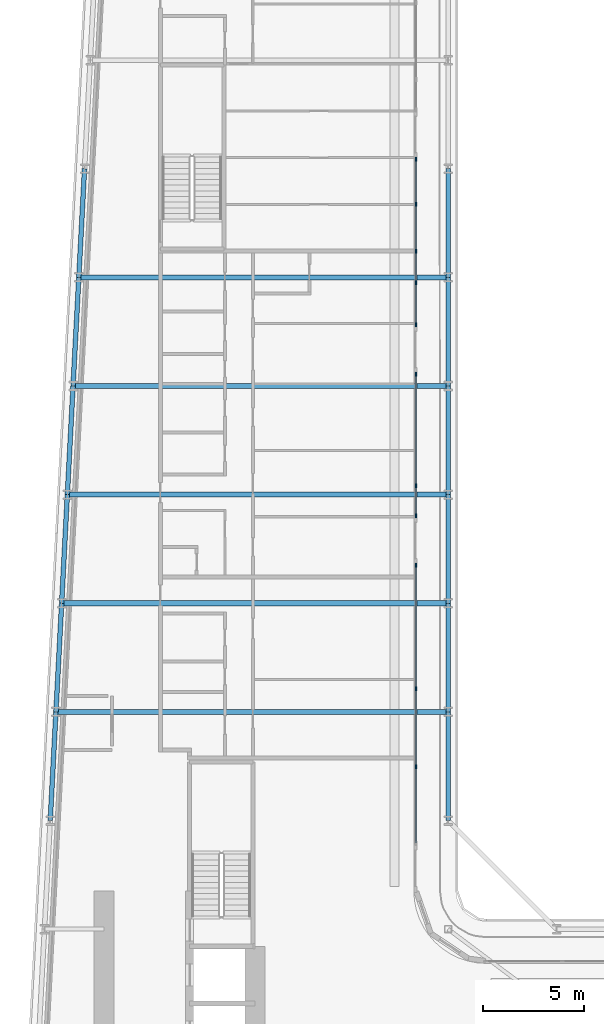
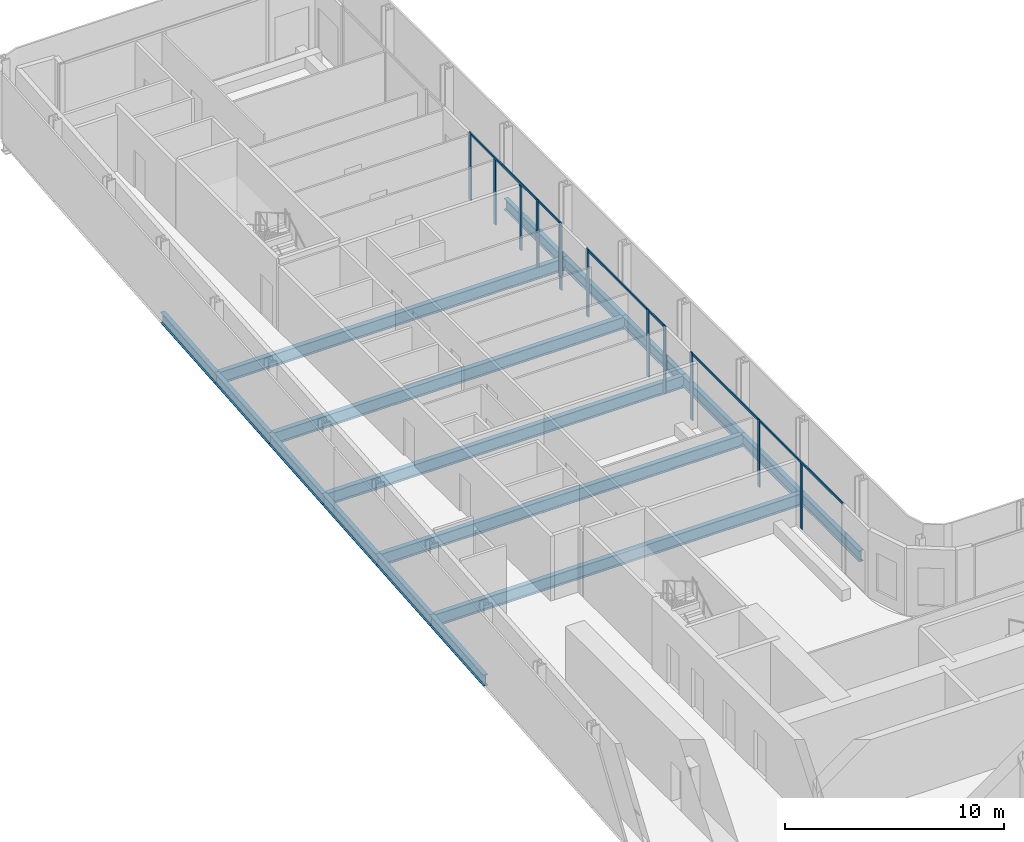
# One storey, part 7 of 28: 17 beams, 17 members, 6 elements without a shape of their own.
"""IFC4 building model written with IfcOpenShell, lengths in metres."""

from ifc_helpers import new_model, si_unit, direction, frame, origin, origin_2d, place, context, subcontext, project, spatial, rectangle, i_section, extrude, material, layer, layer_set, material_profile, profile_set, type_object, element, aggregate, save


model = new_model("IFC4")

# Units and contexts
model_context = context("Model", 3, precision=1e-05, world=origin(), true_north=direction((0.0, 1.0)))
body_context = subcontext(model_context, "Body", "Model", "MODEL_VIEW")
ifc_project = project(units=[si_unit("LENGTHUNIT", "METRE"), si_unit("AREAUNIT", "SQUARE_METRE"), si_unit("VOLUMEUNIT", "CUBIC_METRE"), si_unit("PLANEANGLEUNIT", "RADIAN"), si_unit("MASSUNIT", "GRAM", prefix="KILO")], contexts=[model_context])

# Site, building, storey
site_placement = place(None, origin())
site = spatial("IfcSite", under=ifc_project, at=site_placement, CompositionType="ELEMENT")
building_placement = place(site_placement, origin())
building = spatial("IfcBuilding", under=site, at=building_placement, Name="Kheshtan School and Residences Tower", CompositionType="ELEMENT")
storey_placement = place(building_placement, frame((0.0, 0.0, 73.39990234375)))
storey = spatial("IfcBuildingStorey", under=building, at=storey_placement, Name="L17", CompositionType="ELEMENT", Elevation=73.39990234375)

# Beams
ifc_material_1 = material(Name="Steel ASTM A992 Grade 50", Category="steel")
ifc_material_profile_1 = material_profile(ifc_material_1, i_section(OverallWidth=0.2529296875, OverallDepth=0.677978515625, WebThickness=0.01171875, FlangeThickness=0.016357421875, FilletRadius=0.0146484375, at=origin_2d()), Name="W690x125")
ifc_profile_set_1 = profile_set([ifc_material_profile_1], Name="Steel ASTM A992 Grade 50")
beam_type_1 = type_object("IfcBeamType", Name="Beam FB6 W690x125 ASTM A992 Grade 50", PredefinedType="BEAM", material=ifc_profile_set_1)
beam_1_placement = place(storey_placement, frame((47.60009765625, 72.60009765625, -0.489013671875), z_axis=(-1.0, 0.0, 0.0), x_axis=(0.0, -1.0, 0.0)))
element("IfcBeam", 1, at=beam_1_placement, inside=storey, type_object=beam_type_1, Name="Floor beam C087", PredefinedType="BEAM", context=body_context, shape_type="SweptSolid", body=[
    extrude(i_section(OverallWidth=0.2529296875, OverallDepth=0.677978515625, WebThickness=0.01171875, FlangeThickness=0.016357421875, FilletRadius=0.0146484375, at=origin_2d()), origin(), (0.0, 0.0, 1.0), 18.64208984375),
])
beam_2_placement = place(storey_placement, frame((47.60009765625, 61.800048828125, -0.489013671875), z_axis=(-1.0, 0.0, 0.0), x_axis=(0.0, -1.0, 0.0)))
element("IfcBeam", 2, at=beam_2_placement, inside=storey, type_object=beam_type_1, Name="Floor beam C083", PredefinedType="BEAM", context=body_context, shape_type="SweptSolid", body=[
    extrude(i_section(OverallWidth=0.2529296875, OverallDepth=0.677978515625, WebThickness=0.01171875, FlangeThickness=0.016357421875, FilletRadius=0.0146484375, at=origin_2d()), origin(), (0.0, 0.0, 1.0), 19.210205078125),
])
beam_3_placement = place(storey_placement, frame((28.10595703125, 56.39990234375, -0.489013671875), z_axis=(1.0, 0.0, 0.0), x_axis=(0.0, 1.0, 0.0)))
element("IfcBeam", 3, at=beam_3_placement, inside=storey, type_object=beam_type_1, Name="Floor beam C080", PredefinedType="BEAM", context=body_context, shape_type="SweptSolid", body=[
    extrude(i_section(OverallWidth=0.2529296875, OverallDepth=0.677978515625, WebThickness=0.01171875, FlangeThickness=0.016357421875, FilletRadius=0.0146484375, at=origin_2d()), origin(), (0.0, 0.0, 1.0), 19.494140625),
])
beam_4_placement = place(storey_placement, frame((28.674072265625, 67.199951171875, -0.489013671875), z_axis=(1.0, 0.0, 0.0), x_axis=(0.0, 1.0, 0.0)))
element("IfcBeam", 4, at=beam_4_placement, inside=storey, type_object=beam_type_1, Name="Floor beam C084", PredefinedType="BEAM", context=body_context, shape_type="SweptSolid", body=[
    extrude(i_section(OverallWidth=0.2529296875, OverallDepth=0.677978515625, WebThickness=0.01171875, FlangeThickness=0.016357421875, FilletRadius=0.0146484375, at=origin_2d()), origin(), (0.0, 0.0, 1.0), 18.926025390625),
])
beam_5_placement = place(storey_placement, frame((29.242919921875, 78.0, -0.489013671875), z_axis=(1.0, 0.0, 0.0), x_axis=(0.0, 1.0, 0.0)))
element("IfcBeam", 5, at=beam_5_placement, inside=storey, type_object=beam_type_1, Name="Floor beam C088", PredefinedType="BEAM", context=body_context, shape_type="SweptSolid", body=[
    extrude(i_section(OverallWidth=0.2529296875, OverallDepth=0.677978515625, WebThickness=0.01171875, FlangeThickness=0.016357421875, FilletRadius=0.0146484375, at=origin_2d()), origin(), (0.0, 0.0, 1.0), 18.357177734375),
])
ifc_material_profile_2 = material_profile(ifc_material_1, i_section(OverallWidth=0.22998046875, OverallDepth=0.616943359375, WebThickness=0.01318359375, FlangeThickness=0.022216796875, FilletRadius=0.0185546875, at=origin_2d()), Name="W610x140")
ifc_profile_set_2 = profile_set([ifc_material_profile_2], Name="Steel ASTM A992 Grade 50")
beam_type_2 = type_object("IfcBeamType", Name="Beam SP1 W610x140 ASTM A992 Grade 50", PredefinedType="BEAM", material=ifc_profile_set_2)
for number, where, z_axis, x_axis, name in (
    (6, (47.60009765625, 83.39990234375, -0.45849609375), (0.0, -1.0, 0.0), (1.0, 0.0, 0.0), "Spandrel beam C091-C089"),
    (7, (47.60009765625, 78.0, -0.45849609375), (0.0, -1.0, 0.0), (1.0, 0.0, 0.0), "Spandrel beam C089-C087"),
):
    element("IfcBeam", number, at=place(storey_placement, frame(where, z_axis=z_axis, x_axis=x_axis)), inside=storey, type_object=beam_type_2, Name=name, PredefinedType="BEAM", context=body_context, shape_type="SweptSolid", body=[
        extrude(i_section(OverallWidth=0.22998046875, OverallDepth=0.616943359375, WebThickness=0.01318359375, FlangeThickness=0.022216796875, FilletRadius=0.0185546875, at=origin_2d()), origin(), (0.0, 0.0, 1.0), 5.39990234375),
    ])
beam_6_placement = place(storey_placement, frame((47.60009765625, 72.60009765625, -0.45849609375), z_axis=(0.0, -1.0, 0.0), x_axis=(1.0, 0.0, 0.0)))
element("IfcBeam", 8, at=beam_6_placement, inside=storey, type_object=beam_type_2, Name="Spandrel beam C087-C085", PredefinedType="BEAM", context=body_context, shape_type="SweptSolid", body=[
    extrude(i_section(OverallWidth=0.22998046875, OverallDepth=0.616943359375, WebThickness=0.01318359375, FlangeThickness=0.022216796875, FilletRadius=0.0185546875, at=origin_2d()), origin(), (0.0, 0.0, 1.0), 5.400146484375),
])
beam_7_placement = place(storey_placement, frame((47.60009765625, 67.199951171875, -0.45849609375), z_axis=(0.0, -1.0, 0.0), x_axis=(1.0, 0.0, 0.0)))
element("IfcBeam", 9, at=beam_7_placement, inside=storey, type_object=beam_type_2, Name="Spandrel beam C085-C083", PredefinedType="BEAM", context=body_context, shape_type="SweptSolid", body=[
    extrude(i_section(OverallWidth=0.22998046875, OverallDepth=0.616943359375, WebThickness=0.01318359375, FlangeThickness=0.022216796875, FilletRadius=0.0185546875, at=origin_2d()), origin(), (0.0, 0.0, 1.0), 5.39990234375),
])
beam_8_placement = place(storey_placement, frame((47.60009765625, 61.800048828125, -0.45849609375), z_axis=(0.0, -1.0, 0.0), x_axis=(1.0, 0.0, 0.0)))
element("IfcBeam", 10, at=beam_8_placement, inside=storey, type_object=beam_type_2, Name="Spandrel beam C083-C081", PredefinedType="BEAM", context=body_context, shape_type="SweptSolid", body=[
    extrude(i_section(OverallWidth=0.22998046875, OverallDepth=0.616943359375, WebThickness=0.01318359375, FlangeThickness=0.022216796875, FilletRadius=0.0185546875, at=origin_2d()), origin(), (0.0, 0.0, 1.0), 5.400146484375),
])
beam_9_placement = place(storey_placement, frame((47.60009765625, 56.39990234375, -0.45849609375), z_axis=(0.0, -1.0, 0.0), x_axis=(1.0, 0.0, 0.0)))
element("IfcBeam", 11, at=beam_9_placement, inside=storey, type_object=beam_type_2, Name="Spandrel beam C081-C079", PredefinedType="BEAM", context=body_context, shape_type="SweptSolid", body=[
    extrude(i_section(OverallWidth=0.22998046875, OverallDepth=0.616943359375, WebThickness=0.01318359375, FlangeThickness=0.022216796875, FilletRadius=0.0185546875, at=origin_2d()), origin(), (0.0, 0.0, 1.0), 5.39990234375),
])
beam_10_placement = place(storey_placement, frame((27.822021484375, 51.0, -0.45849609375), z_axis=(0.05250906864, 0.998620447272, 0.0), x_axis=(-0.998620447272, 0.05250906864, 0.0)))
element("IfcBeam", 12, at=beam_10_placement, inside=storey, type_object=beam_type_2, Name="Spandrel beam C078-C080", PredefinedType="BEAM", context=body_context, shape_type="SweptSolid", body=[
    extrude(i_section(OverallWidth=0.22998046875, OverallDepth=0.616943359375, WebThickness=0.01318359375, FlangeThickness=0.022216796875, FilletRadius=0.0185546875, at=origin_2d()), origin(), (0.0, 0.0, 1.0), 5.407470703125),
])
beam_11_placement = place(storey_placement, frame((28.10595703125, 56.39990234375, -0.45849609375), z_axis=(0.05250670125, 0.998620571751, 0.0), x_axis=(-0.998620571751, 0.05250670125, 0.0)))
element("IfcBeam", 13, at=beam_11_placement, inside=storey, type_object=beam_type_2, Name="Spandrel beam C080-C082", PredefinedType="BEAM", context=body_context, shape_type="SweptSolid", body=[
    extrude(i_section(OverallWidth=0.22998046875, OverallDepth=0.616943359375, WebThickness=0.01318359375, FlangeThickness=0.022216796875, FilletRadius=0.0185546875, at=origin_2d()), origin(), (0.0, 0.0, 1.0), 5.40771484375),
])
beam_12_placement = place(storey_placement, frame((28.389892578125, 61.800048828125, -0.45849609375), z_axis=(0.052554093665, 0.998618078766, 0.0), x_axis=(-0.998618078766, 0.052554093665, 0.0)))
element("IfcBeam", 14, at=beam_12_placement, inside=storey, type_object=beam_type_2, Name="Spandrel beam C082-C084", PredefinedType="BEAM", context=body_context, shape_type="SweptSolid", body=[
    extrude(i_section(OverallWidth=0.22998046875, OverallDepth=0.616943359375, WebThickness=0.01318359375, FlangeThickness=0.022216796875, FilletRadius=0.0185546875, at=origin_2d()), origin(), (0.0, 0.0, 1.0), 5.407470703125),
])
beam_13_placement = place(storey_placement, frame((28.674072265625, 67.199951171875, -0.45849609375), z_axis=(0.05250670125, 0.998620571751, 0.0), x_axis=(-0.998620571751, 0.05250670125, 0.0)))
element("IfcBeam", 15, at=beam_13_placement, inside=storey, type_object=beam_type_2, Name="Spandrel beam C084-C086", PredefinedType="BEAM", context=body_context, shape_type="SweptSolid", body=[
    extrude(i_section(OverallWidth=0.22998046875, OverallDepth=0.616943359375, WebThickness=0.01318359375, FlangeThickness=0.022216796875, FilletRadius=0.0185546875, at=origin_2d()), origin(), (0.0, 0.0, 1.0), 5.40771484375),
])
for number, where, z_axis, x_axis, name in (
    (16, (28.9580078125, 72.60009765625, -0.45849609375), (0.052689166816, 0.998610961136, 0.0), (-0.998610961136, 0.052689166816, 0.0), "Spandrel beam C086-C088"),
    (17, (29.242919921875, 78.0, -0.45849609375), (0.052554093665, 0.998618078766, 0.0), (-0.998618078766, 0.052554093665, 0.0), "Spandrel beam C088-C090"),
):
    element("IfcBeam", number, at=place(storey_placement, frame(where, z_axis=z_axis, x_axis=x_axis)), inside=storey, type_object=beam_type_2, Name=name, PredefinedType="BEAM", context=body_context, shape_type="SweptSolid", body=[
        extrude(i_section(OverallWidth=0.22998046875, OverallDepth=0.616943359375, WebThickness=0.01318359375, FlangeThickness=0.022216796875, FilletRadius=0.0185546875, at=origin_2d()), origin(), (0.0, 0.0, 1.0), 5.407470703125),
    ])

# Curtain wall, members
ifc_material_2 = material(Name="Clear low-e glass in thermally broken aluminium frame", Category="aluminium")
ifc_layer = layer(ifc_material_2, 0.199951171875)
ifc_layer_set = layer_set([ifc_layer], Name="Curtain wall CW-L")
curtain_wall_type = type_object("IfcCurtainWallType", Name="Curtain wall CW-L", PredefinedType="NOTDEFINED", material=ifc_layer_set)
curtain_wall_1_placement = place(storey_placement, origin())
curtain_wall_1 = element("IfcCurtainWall", 18, at=curtain_wall_1_placement, inside=storey, type_object=curtain_wall_type, Name="Curtain wall CWL8b", PredefinedType="NOTDEFINED")
ifc_material_3 = material(Name="Thermally broken aluminium, dark bronze anodised", Category="aluminium")
ifc_material_profile_3 = material_profile(ifc_material_3, rectangle(XDim=0.06005859375, YDim=0.199951171875, at=origin_2d()), Name="CW-L mullion 60x200")
ifc_profile_set_3 = profile_set([ifc_material_profile_3], Name="Thermally broken aluminium, dark bronze anodised")
member_type_1 = type_object("IfcMemberType", Name="CW-L mullion 60x200", PredefinedType="MULLION", material=ifc_profile_set_3)
member_1_placement = place(storey_placement, frame((46.0, 83.8759765625, 0.0), z_axis=(0.0, 0.0, 1.0), x_axis=(1.0, 0.0, 0.0)))
member_1 = element("IfcMember", 19, at=member_1_placement, type_object=member_type_1, Name="CWL8b mullion 1", PredefinedType="MULLION", context=body_context, shape_type="SweptSolid", body=[
    extrude(rectangle(XDim=0.06005859375, YDim=0.199951171875, at=origin_2d()), origin(), (0.0, 0.0, 1.0), 3.75),
])
member_2_placement = place(storey_placement, frame((46.0, 81.625, 0.0), z_axis=(0.0, 0.0, 1.0), x_axis=(1.0, 0.0, 0.0)))
member_2 = element("IfcMember", 20, at=member_2_placement, type_object=member_type_1, Name="CWL8b mullion 2", PredefinedType="MULLION", context=body_context, shape_type="SweptSolid", body=[
    extrude(rectangle(XDim=0.06005859375, YDim=0.199951171875, at=origin_2d()), origin(), (0.0, 0.0, 1.0), 3.630126953125),
])
member_3_placement = place(storey_placement, frame((46.0, 79.300048828125, 0.0), z_axis=(0.0, 0.0, 1.0), x_axis=(1.0, 0.0, 0.0)))
member_3 = element("IfcMember", 21, at=member_3_placement, type_object=member_type_1, Name="CWL8b mullion 3", PredefinedType="MULLION", context=body_context, shape_type="SweptSolid", body=[
    extrude(rectangle(XDim=0.06005859375, YDim=0.199951171875, at=origin_2d()), origin(), (0.0, 0.0, 1.0), 3.630126953125),
])
member_4_placement = place(storey_placement, frame((46.0, 77.741943359375, 0.0), z_axis=(0.0, 0.0, 1.0), x_axis=(1.0, 0.0, 0.0)))
member_4 = element("IfcMember", 22, at=member_4_placement, type_object=member_type_1, Name="CWL8b mullion 4", PredefinedType="MULLION", context=body_context, shape_type="SweptSolid", body=[
    extrude(rectangle(XDim=0.06005859375, YDim=0.199951171875, at=origin_2d()), origin(), (0.0, 0.0, 1.0), 3.75),
])

# Curtain wall, member
curtain_wall_2_placement = place(storey_placement, origin())
curtain_wall_2 = element("IfcCurtainWall", 23, at=curtain_wall_2_placement, inside=storey, type_object=curtain_wall_type, Name="Curtain wall CWL8i", PredefinedType="NOTDEFINED")
member_5_placement = place(storey_placement, frame((46.0, 75.64208984375, 0.0), z_axis=(0.0, 0.0, 1.0), x_axis=(1.0, 0.0, 0.0)))
member_5 = element("IfcMember", 24, at=member_5_placement, type_object=member_type_1, Name="CWL8i mullion 2", PredefinedType="MULLION", context=body_context, shape_type="SweptSolid", body=[
    extrude(rectangle(XDim=0.06005859375, YDim=0.199951171875, at=origin_2d()), origin(), (0.0, 0.0, 1.0), 3.75),
])

# Curtain wall, members
curtain_wall_3_placement = place(storey_placement, origin())
curtain_wall_3 = element("IfcCurtainWall", 25, at=curtain_wall_3_placement, inside=storey, type_object=curtain_wall_type, Name="Curtain wall CWL8j", PredefinedType="NOTDEFINED")
member_6_placement = place(storey_placement, frame((46.0, 73.181884765625, 0.0), z_axis=(0.0, 0.0, 1.0), x_axis=(1.0, 0.0, 0.0)))
member_6 = element("IfcMember", 26, at=member_6_placement, type_object=member_type_1, Name="CWL8j mullion 1", PredefinedType="MULLION", context=body_context, shape_type="SweptSolid", body=[
    extrude(rectangle(XDim=0.06005859375, YDim=0.199951171875, at=origin_2d()), origin(), (0.0, 0.0, 1.0), 3.75),
])
member_7_placement = place(storey_placement, frame((46.0, 67.64794921875, 0.0), z_axis=(0.0, 0.0, 1.0), x_axis=(1.0, 0.0, 0.0)))
member_7 = element("IfcMember", 27, at=member_7_placement, type_object=member_type_1, Name="CWL8j mullion 2", PredefinedType="MULLION", context=body_context, shape_type="SweptSolid", body=[
    extrude(rectangle(XDim=0.06005859375, YDim=0.199951171875, at=origin_2d()), origin(), (0.0, 0.0, 1.0), 3.75),
])

# Curtain wall, member
curtain_wall_4_placement = place(storey_placement, origin())
curtain_wall_4 = element("IfcCurtainWall", 28, at=curtain_wall_4_placement, inside=storey, type_object=curtain_wall_type, Name="Curtain wall CWL8a", PredefinedType="NOTDEFINED")
member_8_placement = place(storey_placement, frame((46.0, 66.14794921875, 0.0), z_axis=(0.0, 0.0, 1.0), x_axis=(1.0, 0.0, 0.0)))
member_8 = element("IfcMember", 29, at=member_8_placement, type_object=member_type_1, Name="CWL8a mullion 2", PredefinedType="MULLION", context=body_context, shape_type="SweptSolid", body=[
    extrude(rectangle(XDim=0.06005859375, YDim=0.199951171875, at=origin_2d()), origin(), (0.0, 0.0, 1.0), 3.75),
])

# Curtain wall, members
curtain_wall_5_placement = place(storey_placement, origin())
curtain_wall_5 = element("IfcCurtainWall", 30, at=curtain_wall_5_placement, inside=storey, type_object=curtain_wall_type, Name="Curtain wall CWL8d", PredefinedType="NOTDEFINED")
member_9_placement = place(storey_placement, frame((46.0, 63.68798828125, 0.0), z_axis=(0.0, 0.0, 1.0), x_axis=(1.0, 0.0, 0.0)))
member_9 = element("IfcMember", 31, at=member_9_placement, type_object=member_type_1, Name="CWL8d mullion 1", PredefinedType="MULLION", context=body_context, shape_type="SweptSolid", body=[
    extrude(rectangle(XDim=0.06005859375, YDim=0.199951171875, at=origin_2d()), origin(), (0.0, 0.0, 1.0), 3.75),
])
member_10_placement = place(storey_placement, frame((46.0, 57.553955078125, 0.0), z_axis=(0.0, 0.0, 1.0), x_axis=(1.0, 0.0, 0.0)))
member_10 = element("IfcMember", 32, at=member_10_placement, type_object=member_type_1, Name="CWL8d mullion 2", PredefinedType="MULLION", context=body_context, shape_type="SweptSolid", body=[
    extrude(rectangle(XDim=0.06005859375, YDim=0.199951171875, at=origin_2d()), origin(), (0.0, 0.0, 1.0), 3.75),
])

# Curtain wall, member
curtain_wall_6_placement = place(storey_placement, origin())
curtain_wall_6 = element("IfcCurtainWall", 33, at=curtain_wall_6_placement, inside=storey, type_object=curtain_wall_type, Name="Curtain wall CWL8", PredefinedType="NOTDEFINED")
member_11_placement = place(storey_placement, frame((46.0, 53.677001953125, 0.0), z_axis=(0.0, 0.0, 1.0), x_axis=(1.0, 0.0, 0.0)))
member_11 = element("IfcMember", 34, at=member_11_placement, type_object=member_type_1, Name="CWL8 mullion 2", PredefinedType="MULLION", context=body_context, shape_type="SweptSolid", body=[
    extrude(rectangle(XDim=0.06005859375, YDim=0.199951171875, at=origin_2d()), origin(), (0.0, 0.0, 1.0), 3.630126953125),
])

# Member
ifc_material_profile_4 = material_profile(ifc_material_3, rectangle(XDim=0.06005859375, YDim=0.1201171875, at=origin_2d()), Name="CW-L transom 60x120")
ifc_profile_set_4 = profile_set([ifc_material_profile_4], Name="Thermally broken aluminium, dark bronze anodised")
member_type_2 = type_object("IfcMemberType", Name="CW-L transom 60x120", PredefinedType="USERDEFINED", material=ifc_profile_set_4)
member_12_placement = place(storey_placement, frame((46.0, 83.845947265625, 3.690185546875), z_axis=(0.0, -1.0, 0.0), x_axis=(1.0, 0.0, 0.0)))
member_12 = element("IfcMember", 35, at=member_12_placement, type_object=member_type_2, Name="CWL8b transom 1", ObjectType="TRANSOM", PredefinedType="USERDEFINED", context=body_context, shape_type="SweptSolid", body=[
    extrude(rectangle(XDim=0.06005859375, YDim=0.1201171875, at=origin_2d()), origin(), (0.0, 0.0, 1.0), 6.073974609375),
])

aggregate(curtain_wall_1, [member_1, member_2, member_3, member_4, member_12])

member_13_placement = place(storey_placement, frame((46.0, 77.7119140625, 3.690185546875), z_axis=(0.0, -1.0, 0.0), x_axis=(1.0, 0.0, 0.0)))
member_13 = element("IfcMember", 36, at=member_13_placement, type_object=member_type_2, Name="CWL8i transom 1", ObjectType="TRANSOM", PredefinedType="USERDEFINED", context=body_context, shape_type="SweptSolid", body=[
    extrude(rectangle(XDim=0.06005859375, YDim=0.1201171875, at=origin_2d()), origin(), (0.0, 0.0, 1.0), 2.039794921875),
])

aggregate(curtain_wall_2, [member_5, member_13])

member_14_placement = place(storey_placement, frame((46.0, 73.152099609375, 3.690185546875), z_axis=(0.0, -1.0, 0.0), x_axis=(1.0, 0.0, 0.0)))
member_14 = element("IfcMember", 37, at=member_14_placement, type_object=member_type_2, Name="CWL8j transom 1", ObjectType="TRANSOM", PredefinedType="USERDEFINED", context=body_context, shape_type="SweptSolid", body=[
    extrude(rectangle(XDim=0.06005859375, YDim=0.1201171875, at=origin_2d()), origin(), (0.0, 0.0, 1.0), 5.47412109375),
])

aggregate(curtain_wall_3, [member_6, member_7, member_14])

member_15_placement = place(storey_placement, frame((46.0, 67.617919921875, 3.690185546875), z_axis=(0.0, -1.0, 0.0), x_axis=(1.0, 0.0, 0.0)))
member_15 = element("IfcMember", 38, at=member_15_placement, type_object=member_type_2, Name="CWL8a transom 1", ObjectType="TRANSOM", PredefinedType="USERDEFINED", context=body_context, shape_type="SweptSolid", body=[
    extrude(rectangle(XDim=0.06005859375, YDim=0.1201171875, at=origin_2d()), origin(), (0.0, 0.0, 1.0), 1.43994140625),
])

aggregate(curtain_wall_4, [member_8, member_15])

member_16_placement = place(storey_placement, frame((46.0, 63.657958984375, 3.690185546875), z_axis=(0.0, -1.0, 0.0), x_axis=(1.0, 0.0, 0.0)))
member_16 = element("IfcMember", 39, at=member_16_placement, type_object=member_type_2, Name="CWL8d transom 1", ObjectType="TRANSOM", PredefinedType="USERDEFINED", context=body_context, shape_type="SweptSolid", body=[
    extrude(rectangle(XDim=0.06005859375, YDim=0.1201171875, at=origin_2d()), origin(), (0.0, 0.0, 1.0), 6.073974609375),
])

aggregate(curtain_wall_5, [member_9, member_10, member_16])

member_17_placement = place(storey_placement, frame((46.0, 57.52392578125, 3.690185546875), z_axis=(0.0, -1.0, 0.0), x_axis=(1.0, 0.0, 0.0)))
member_17 = element("IfcMember", 40, at=member_17_placement, type_object=member_type_2, Name="CWL8 transom 1", ObjectType="TRANSOM", PredefinedType="USERDEFINED", context=body_context, shape_type="SweptSolid", body=[
    extrude(rectangle(XDim=0.06005859375, YDim=0.1201171875, at=origin_2d()), origin(), (0.0, 0.0, 1.0), 7.634033203125),
])

aggregate(curtain_wall_6, [member_11, member_17])

save(model, "model.ifc")
